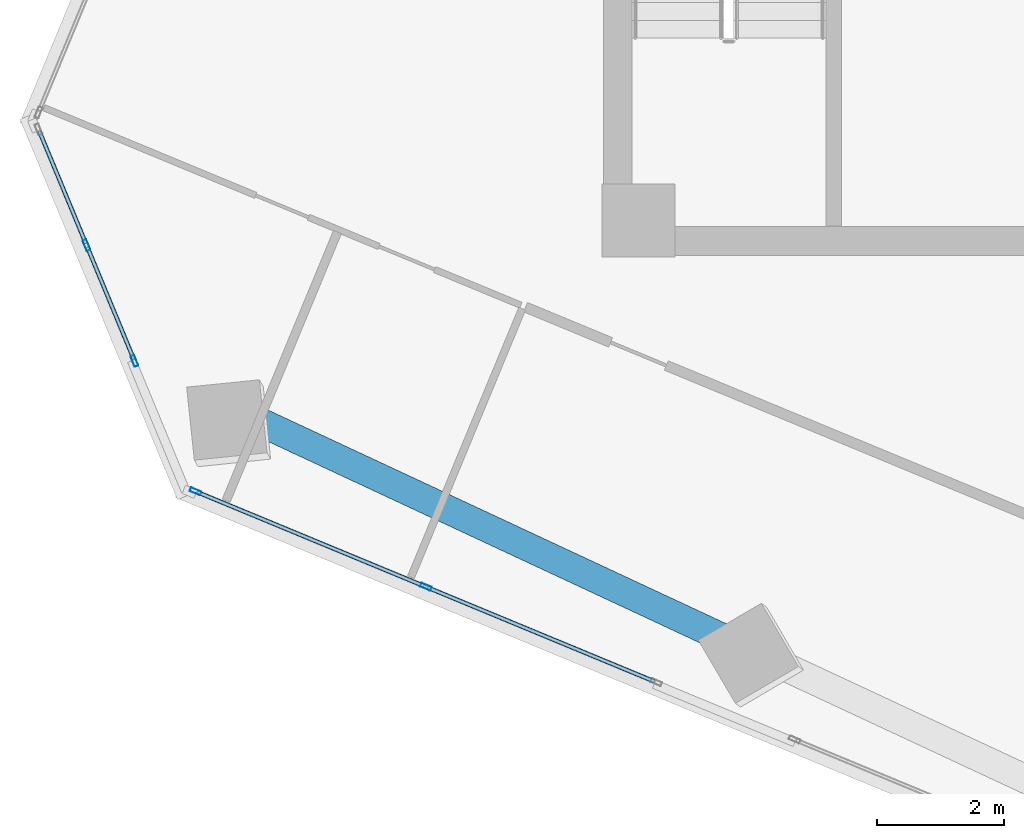
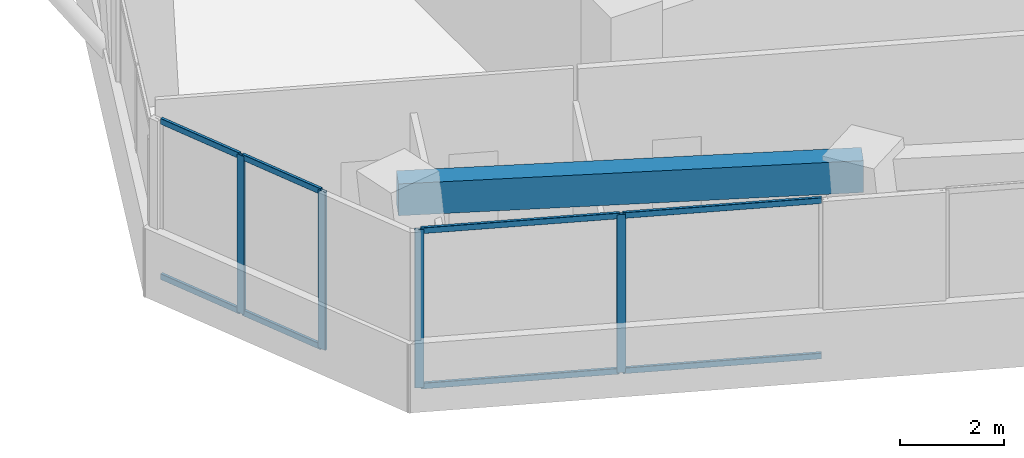
# One storey, part 3 of 22: 12 members, 1 beam, 2 elements without a shape of their own.
"""IFC4 building model written with IfcOpenShell, lengths in metres."""

from ifc_helpers import new_model, si_unit, direction, frame, origin, origin_2d, place, context, subcontext, project, spatial, rectangle, hollow_rectangle, extrude, source, transform, mapped, material, material_profile, profile_set, type_object, element, aggregate, save


model = new_model("IFC4")

# Units and contexts
model_context = context("Model", 3, precision=1e-05, world=origin(), true_north=direction((0.0, 1.0)))
body_context = subcontext(model_context, "Body", "Model", "MODEL_VIEW")
ifc_project = project(units=[si_unit("LENGTHUNIT", "METRE"), si_unit("AREAUNIT", "SQUARE_METRE"), si_unit("VOLUMEUNIT", "CUBIC_METRE"), si_unit("PLANEANGLEUNIT", "RADIAN"), si_unit("MASSUNIT", "GRAM", prefix="KILO")], contexts=[model_context])

# Site, building, storey
site_placement = place(None, origin())
site = spatial("IfcSite", under=ifc_project, at=site_placement, CompositionType="ELEMENT")
building_placement = place(site_placement, origin())
building = spatial("IfcBuilding", under=site, at=building_placement, Name="Torre Montelarca", CompositionType="ELEMENT")
storey_placement = place(building_placement, frame((0.0, 0.0, 149.800048828125)))
storey = spatial("IfcBuildingStorey", under=building, at=storey_placement, Name="L33", CompositionType="ELEMENT", Elevation=149.800048828125)

# Beam
ifc_material_1 = material(Name="Concrete C55/67", Category="concrete")
ifc_material_profile_1 = material_profile(ifc_material_1, rectangle(XDim=0.449951171875, YDim=0.75, at=origin_2d()), Name="RCB450X750", Category="concrete")
ifc_profile_set_1 = profile_set([ifc_material_profile_1], Name="Concrete C55/67")
beam_type = type_object("IfcBeamType", Name="BM-SP-RC750-EXT", PredefinedType="SPANDREL", material=ifc_profile_set_1)
shared_shape_1 = source(origin(), body_context, "Body", "SweptSolid", [
    extrude(rectangle(XDim=0.449951171875, YDim=0.75, at=origin_2d()), origin(), (0.0, 0.0, 1.0), 9.0),
])
beam_placement = place(storey_placement, frame((2.902099609375, 21.694091796875, 3.5849609375), z_axis=(0.906311307826, -0.422610711302, 0.0), x_axis=(0.422610711302, 0.906311307826, 0.0)))
element("IfcBeam", 1, at=beam_placement, inside=storey, type_object=beam_type, Name="L33 Grid Girder X 9.0-18.0 at Y=14.8", PredefinedType="SPANDREL", context=body_context, shape_type="MappedRepresentation", body=[
    mapped(shared_shape_1, transform((0.0, 0.0, 0.0), scale=1.0)),
])

# Curtain wall, members
ifc_material_2 = material(Name="Insulated low-E laminated glass", Category="glass")
curtain_wall_type = type_object("IfcCurtainWallType", Name="CW-SYS-Z2", PredefinedType="USERDEFINED", material=ifc_material_2)
curtain_wall_1_placement = place(storey_placement, origin())
curtain_wall_1 = element("IfcCurtainWall", 2, at=curtain_wall_1_placement, inside=storey, type_object=curtain_wall_type, Name="L33 Curtain Wall Run CW-T3-L33-E01-B1", ObjectType="UNITISED GLAZING", PredefinedType="USERDEFINED")
ifc_material_3 = material(Name="Anodised aluminium AA 6063-T6", Category="aluminium")
ifc_material_profile_2 = material_profile(ifc_material_3, hollow_rectangle(XDim=0.06494140625, YDim=0.179931640625, WallThickness=0.00390625, InnerFilletRadius=0.00390625, OuterFilletRadius=0.008056640625, at=origin_2d()), Name="ALU65X180X4", Category="aluminium")
ifc_profile_set_2 = profile_set([ifc_material_profile_2], Name="Anodised aluminium AA 6063-T6")
member_type_1 = type_object("IfcMemberType", Name="CWM-ALU180", PredefinedType="MULLION", material=ifc_profile_set_2)
shared_shape_2 = source(origin(), body_context, "Body", "SweptSolid", [
    extrude(hollow_rectangle(XDim=0.06494140625, YDim=0.179931640625, WallThickness=0.00390625, InnerFilletRadius=0.00390625, OuterFilletRadius=0.008056640625, at=origin_2d()), origin(), (0.0, 0.0, 1.0), 3.719970703125),
])
member_1_placement = place(storey_placement, frame((2.572998046875, 20.281005859375, 0.0), z_axis=(0.0, 0.0, 1.0), x_axis=(0.382676732123, 0.923882307814, 0.0)))
member_1 = element("IfcMember", 3, at=member_1_placement, type_object=member_type_1, Name="CW mullion 1", PredefinedType="MULLION", context=body_context, shape_type="MappedRepresentation", body=[
    mapped(shared_shape_2, transform((0.0, 0.0, 0.0), scale=1.0)),
])
member_2_placement = place(storey_placement, frame((6.200927734375, 18.7783203125, 0.0), z_axis=(0.0, 0.0, 1.0), x_axis=(0.382676732123, 0.923882307814, 0.0)))
member_2 = element("IfcMember", 4, at=member_2_placement, type_object=member_type_1, Name="CW mullion 2", PredefinedType="MULLION", context=body_context, shape_type="MappedRepresentation", body=[
    mapped(shared_shape_2, transform((0.0, 0.0, 0.0), scale=1.0)),
])

curtain_wall_2_placement = place(storey_placement, origin())
curtain_wall_2 = element("IfcCurtainWall", 5, at=curtain_wall_2_placement, inside=storey, type_object=curtain_wall_type, Name="L33 Curtain Wall Run CW-T3-L33-E11-B1", ObjectType="UNITISED GLAZING", PredefinedType="USERDEFINED")
member_3_placement = place(storey_placement, frame((0.855712890625, 24.15966796875, 0.0), z_axis=(0.0, 0.0, 1.0), x_axis=(0.92387950838, 0.382683490624, 0.0)))
member_3 = element("IfcMember", 6, at=member_3_placement, type_object=member_type_1, Name="CW mullion 2", PredefinedType="MULLION", context=body_context, shape_type="MappedRepresentation", body=[
    mapped(shared_shape_2, transform((0.0, 0.0, 0.0), scale=1.0)),
])
member_4_placement = place(storey_placement, frame((1.611083984375, 22.33642578125, 0.0), z_axis=(0.0, 0.0, 1.0), x_axis=(0.92387950838, 0.382683490624, 0.0)))
member_4 = element("IfcMember", 7, at=member_4_placement, type_object=member_type_1, Name="CW mullion 3", PredefinedType="MULLION", context=body_context, shape_type="MappedRepresentation", body=[
    mapped(shared_shape_2, transform((0.0, 0.0, 0.0), scale=1.0)),
])

# Member
ifc_material_profile_3 = material_profile(ifc_material_3, hollow_rectangle(XDim=0.06494140625, YDim=0.139892578125, WallThickness=0.00390625, InnerFilletRadius=0.00390625, OuterFilletRadius=0.008056640625, at=origin_2d()), Name="ALU65X140X4", Category="aluminium")
ifc_profile_set_3 = profile_set([ifc_material_profile_3], Name="Anodised aluminium AA 6063-T6")
member_type_2 = type_object("IfcMemberType", Name="CWT-ALU140", PredefinedType="USERDEFINED", material=ifc_profile_set_3)
shared_shape_3 = source(origin(), body_context, "Body", "SweptSolid", [
    extrude(hollow_rectangle(XDim=0.06494140625, YDim=0.139892578125, WallThickness=0.00390625, InnerFilletRadius=0.00390625, OuterFilletRadius=0.008056640625, at=origin_2d()), origin(), (0.0, 0.0, 1.0), 3.86181640625),
])
member_5_placement = place(storey_placement, frame((2.60302734375, 20.2685546875, 0.032470703125), z_axis=(0.923886617756, -0.382666326624, 0.0), x_axis=(0.382666326624, 0.923886617756, 0.0)))
member_5 = element("IfcMember", 8, at=member_5_placement, type_object=member_type_2, Name="CW transom 1.1", ObjectType="TRANSOM", PredefinedType="USERDEFINED", context=body_context, shape_type="MappedRepresentation", body=[
    mapped(shared_shape_3, transform((0.0, 0.0, 0.0), scale=1.0)),
])

member_6_placement = place(storey_placement, frame((2.60302734375, 20.2685546875, 3.6875), z_axis=(0.923886617756, -0.382666326624, 0.0), x_axis=(0.382666326624, 0.923886617756, 0.0)))
member_6 = element("IfcMember", 9, at=member_6_placement, type_object=member_type_2, Name="CW transom 1.2", ObjectType="TRANSOM", PredefinedType="USERDEFINED", context=body_context, shape_type="MappedRepresentation", body=[
    mapped(shared_shape_3, transform((0.0, 0.0, 0.0), scale=1.0)),
])

shared_shape_4 = source(origin(), body_context, "Body", "SweptSolid", [
    extrude(hollow_rectangle(XDim=0.06494140625, YDim=0.139892578125, WallThickness=0.00390625, InnerFilletRadius=0.00390625, OuterFilletRadius=0.008056640625, at=origin_2d()), origin(), (0.0, 0.0, 1.0), 3.861572265625),
])
member_7_placement = place(storey_placement, frame((6.23095703125, 18.765869140625, 0.032470703125), z_axis=(0.923877359523, -0.382688678382, 0.0), x_axis=(0.382688678382, 0.923877359523, 0.0)))
member_7 = element("IfcMember", 10, at=member_7_placement, type_object=member_type_2, Name="CW transom 2.1", ObjectType="TRANSOM", PredefinedType="USERDEFINED", context=body_context, shape_type="MappedRepresentation", body=[
    mapped(shared_shape_4, transform((0.0, 0.0, 0.0), scale=1.0)),
])

member_8_placement = place(storey_placement, frame((6.23095703125, 18.765869140625, 3.6875), z_axis=(0.923877359523, -0.382688678382, 0.0), x_axis=(0.382688678382, 0.923877359523, 0.0)))
member_8 = element("IfcMember", 11, at=member_8_placement, type_object=member_type_2, Name="CW transom 2.2", ObjectType="TRANSOM", PredefinedType="USERDEFINED", context=body_context, shape_type="MappedRepresentation", body=[
    mapped(shared_shape_4, transform((0.0, 0.0, 0.0), scale=1.0)),
])

aggregate(curtain_wall_1, [member_1, member_2, member_5, member_6, member_7, member_8])

shared_shape_5 = source(origin(), body_context, "Body", "SweptSolid", [
    extrude(hollow_rectangle(XDim=0.06494140625, YDim=0.139892578125, WallThickness=0.00390625, InnerFilletRadius=0.00390625, OuterFilletRadius=0.008056640625, at=origin_2d()), origin(), (0.0, 0.0, 1.0), 1.908203125),
])
member_9_placement = place(storey_placement, frame((0.113037109375, 25.95263671875, 0.032470703125), z_axis=(0.382679486296, -0.923881167017, 0.0), x_axis=(0.923881167017, 0.382679486296, 0.0)))
member_9 = element("IfcMember", 12, at=member_9_placement, type_object=member_type_2, Name="CW transom 1.1", ObjectType="TRANSOM", PredefinedType="USERDEFINED", context=body_context, shape_type="MappedRepresentation", body=[
    mapped(shared_shape_5, transform((0.0, 0.0, 0.0), scale=1.0)),
])

member_10_placement = place(storey_placement, frame((0.113037109375, 25.95263671875, 3.6875), z_axis=(0.382679486296, -0.923881167017, 0.0), x_axis=(0.923881167017, 0.382679486296, 0.0)))
member_10 = element("IfcMember", 13, at=member_10_placement, type_object=member_type_2, Name="CW transom 1.2", ObjectType="TRANSOM", PredefinedType="USERDEFINED", context=body_context, shape_type="MappedRepresentation", body=[
    mapped(shared_shape_5, transform((0.0, 0.0, 0.0), scale=1.0)),
])

shared_shape_6 = source(origin(), body_context, "Body", "SweptSolid", [
    extrude(hollow_rectangle(XDim=0.06494140625, YDim=0.139892578125, WallThickness=0.00390625, InnerFilletRadius=0.00390625, OuterFilletRadius=0.008056640625, at=origin_2d()), origin(), (0.0, 0.0, 1.0), 1.908447265625),
])
member_11_placement = place(storey_placement, frame((0.8681640625, 24.129638671875, 0.032470703125), z_axis=(0.38274344729, -0.923854671232, 0.0), x_axis=(0.923854671232, 0.38274344729, 0.0)))
member_11 = element("IfcMember", 14, at=member_11_placement, type_object=member_type_2, Name="CW transom 2.1", ObjectType="TRANSOM", PredefinedType="USERDEFINED", context=body_context, shape_type="MappedRepresentation", body=[
    mapped(shared_shape_6, transform((0.0, 0.0, 0.0), scale=1.0)),
])

member_12_placement = place(storey_placement, frame((0.8681640625, 24.129638671875, 3.6875), z_axis=(0.38274344729, -0.923854671232, 0.0), x_axis=(0.923854671232, 0.38274344729, 0.0)))
member_12 = element("IfcMember", 15, at=member_12_placement, type_object=member_type_2, Name="CW transom 2.2", ObjectType="TRANSOM", PredefinedType="USERDEFINED", context=body_context, shape_type="MappedRepresentation", body=[
    mapped(shared_shape_6, transform((0.0, 0.0, 0.0), scale=1.0)),
])

aggregate(curtain_wall_2, [member_3, member_4, member_9, member_10, member_11, member_12])

save(model, "model.ifc")
